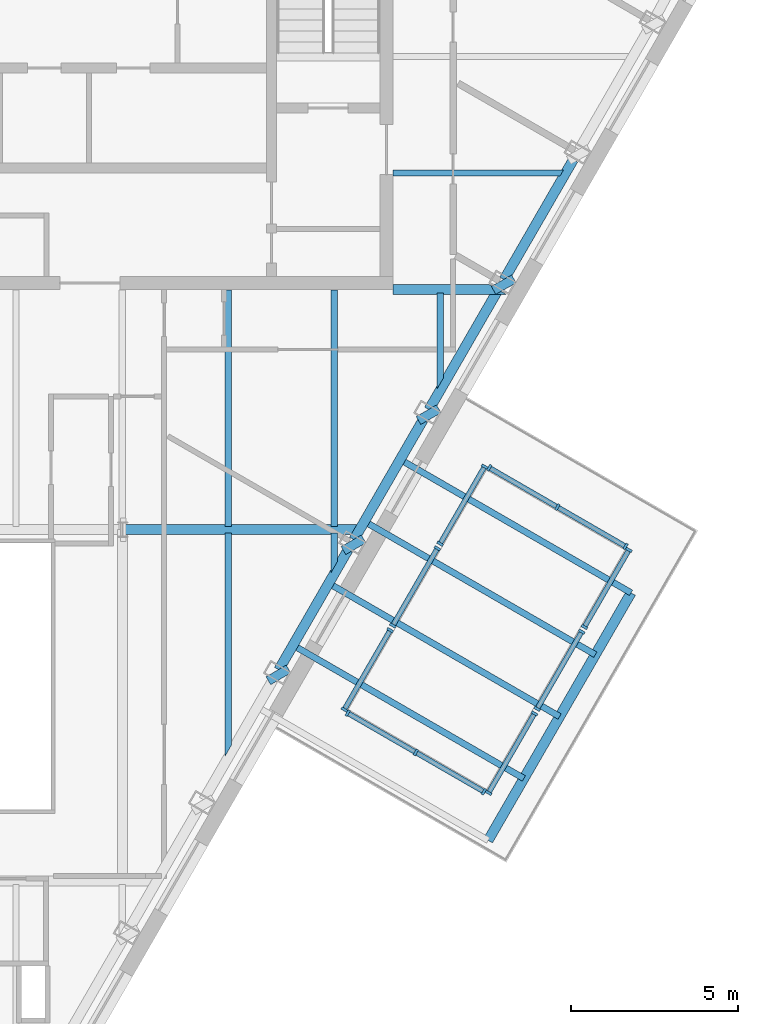
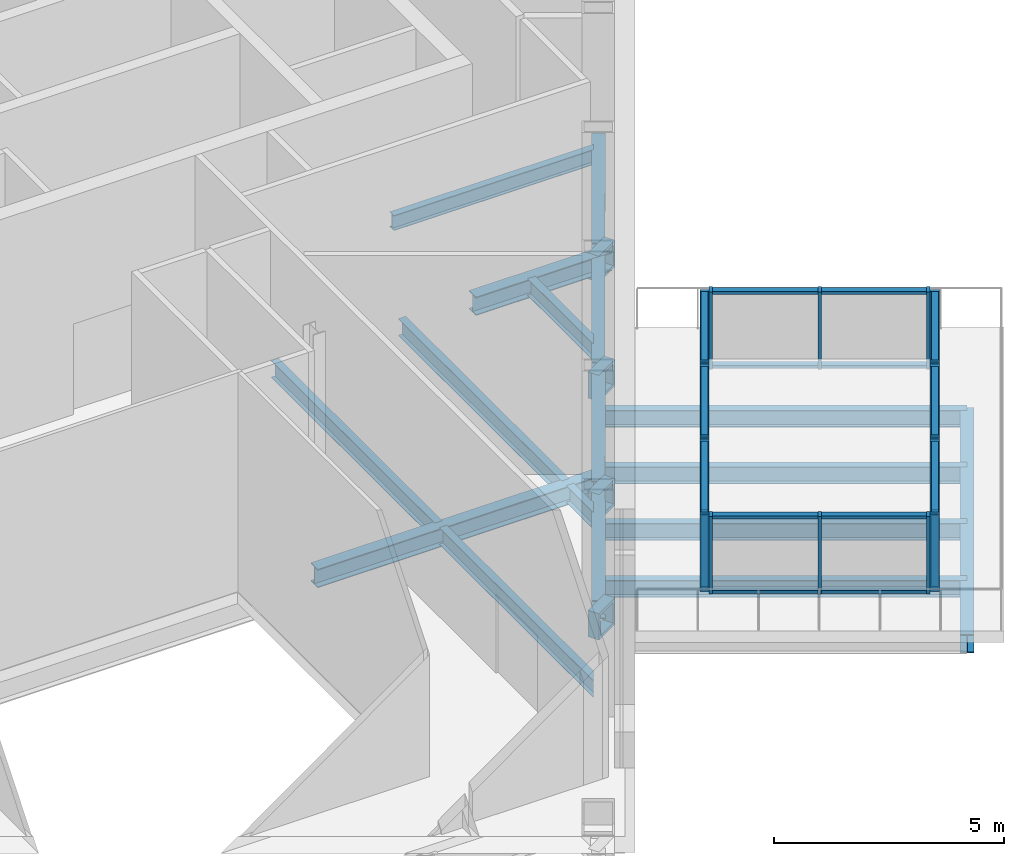
# One storey, part 3 of 11: 38 members, 21 beams, 8 elements without a shape of their own.
"""IFC4 building model written with IfcOpenShell, lengths in metres."""

from ifc_helpers import new_model, si_unit, direction, frame, origin, origin_2d, place, context, subcontext, project, spatial, rectangle, hollow_rectangle, i_section, extrude, clip, halfspace, material, layer, layer_set, material_profile, profile_set, type_object, element, aggregate, save


model = new_model("IFC4")

# Units and contexts
model_context = context("Model", 3, precision=1e-05, world=origin(), true_north=direction((0.0, 1.0)))
body_context = subcontext(model_context, "Body", "Model", "MODEL_VIEW")
ifc_project = project(units=[si_unit("LENGTHUNIT", "METRE"), si_unit("AREAUNIT", "SQUARE_METRE"), si_unit("VOLUMEUNIT", "CUBIC_METRE"), si_unit("PLANEANGLEUNIT", "RADIAN"), si_unit("MASSUNIT", "GRAM", prefix="KILO")], contexts=[model_context])

# Site, building, storey
site_placement = place(None, origin())
site = spatial("IfcSite", under=ifc_project, at=site_placement, CompositionType="ELEMENT")
building_placement = place(site_placement, origin())
building = spatial("IfcBuilding", under=site, at=building_placement, Name="Njiva Tower", CompositionType="ELEMENT")
storey_placement = place(building_placement, frame((0.0, 0.0, 298.2)))
storey = spatial("IfcBuildingStorey", under=building, at=storey_placement, Name="L68", CompositionType="ELEMENT", Elevation=298.2)

# Beams
ifc_material_1 = material(Name="Steel S355 J2", Category="steel")
ifc_material_profile_1 = material_profile(ifc_material_1, hollow_rectangle(XDim=0.7, YDim=0.7, WallThickness=0.08, at=origin_2d()), Name="BOX 700x700x80")
ifc_profile_set_1 = profile_set([ifc_material_profile_1], Name="Steel S355 J2")
beam_type_1 = type_object("IfcBeamType", Name="B19 Column jog beam BOX 700x700x80", PredefinedType="BEAM", material=ifc_profile_set_1)
beam_1_placement = place(storey_placement, frame((11.126, -7.677, -0.65), z_axis=(-0.503190728668, 0.864175381843, 0.0), x_axis=(-0.864175381843, -0.503190728668, 0.0)))
element("IfcBeam", 1, at=beam_1_placement, inside=storey, type_object=beam_type_1, Name="Column jog beam S22-B030", PredefinedType="BEAM", context=body_context, shape_type="SweptSolid", body=[
    extrude(hollow_rectangle(XDim=0.7, YDim=0.7, WallThickness=0.08, at=origin_2d()), origin(), (0.0, 0.0, 1.0), 0.2742),
])
beam_2_placement = place(storey_placement, frame((13.38, -3.774, -0.65), z_axis=(-0.501609290535, 0.865094283676, 0.0), x_axis=(-0.865094283676, -0.501609290535, 0.0)))
element("IfcBeam", 2, at=beam_2_placement, inside=storey, type_object=beam_type_1, Name="Column jog beam S22-B031", PredefinedType="BEAM", context=body_context, shape_type="SweptSolid", body=[
    extrude(hollow_rectangle(XDim=0.7, YDim=0.7, WallThickness=0.08, at=origin_2d()), origin(), (0.0, 0.0, 1.0), 0.2751),
])
beam_3_placement = place(storey_placement, frame((15.633, 0.129, -0.65), z_axis=(-0.49731125795, 0.867572194527, 0.0), x_axis=(-0.867572194527, -0.49731125795, 0.0)))
element("IfcBeam", 3, at=beam_3_placement, inside=storey, type_object=beam_type_1, Name="Column jog beam S22-B032", PredefinedType="BEAM", context=body_context, shape_type="SweptSolid", body=[
    extrude(hollow_rectangle(XDim=0.7, YDim=0.7, WallThickness=0.08, at=origin_2d()), origin(), (0.0, 0.0, 1.0), 0.2755),
])
beam_4_placement = place(storey_placement, frame((17.885, 4.031, -0.65), z_axis=(-0.487495172516, 0.873125682118, 0.0), x_axis=(-0.873125682118, -0.487495172516, 0.0)))
element("IfcBeam", 4, at=beam_4_placement, inside=storey, type_object=beam_type_1, Name="Column jog beam S22-B033", PredefinedType="BEAM", context=body_context, shape_type="SweptSolid", body=[
    extrude(hollow_rectangle(XDim=0.7, YDim=0.7, WallThickness=0.08, at=origin_2d()), origin(), (0.0, 0.0, 1.0), 0.2749),
])
ifc_material_profile_2 = material_profile(ifc_material_1, i_section(OverallWidth=0.3, OverallDepth=0.49, WebThickness=0.012, FlangeThickness=0.023, at=origin_2d()), Name="HEA 500")
ifc_profile_set_2 = profile_set([ifc_material_profile_2], Name="Steel S355 J2")
beam_type_2 = type_object("IfcBeamType", Name="B48 Short-span spandrel beam HEA 500", PredefinedType="SPANDREL", material=ifc_profile_set_2)
beam_5_placement = place(storey_placement, frame((11.068, -7.407, -0.545), z_axis=(0.499812681335, 0.866133525259, 0.0), x_axis=(-0.866133525259, 0.499812681335, 0.0)))
element("IfcBeam", 5, at=beam_5_placement, inside=storey, type_object=beam_type_2, Name="Short-span spandrel beam S22-B085", PredefinedType="SPANDREL", context=body_context, shape_type="SweptSolid", body=[
    extrude(i_section(OverallWidth=0.3, OverallDepth=0.49, WebThickness=0.012, FlangeThickness=0.023, at=origin_2d()), origin(), (0.0, 0.0, 1.0), 4.1576),
])
for number, where, z_axis, x_axis, name in (
    (6, (13.321, -3.503, -0.545), (0.500021003115, 0.866013277291, 0.0), (-0.866013277291, 0.500021003115, 0.0), "Short-span spandrel beam S22-B086"),
    (7, (15.574, 0.4, -0.545), (0.500021003115, 0.866013277291, 0.0), (-0.866013277291, 0.500021003115, 0.0), "Short-span spandrel beam S22-B088"),
):
    element("IfcBeam", number, at=place(storey_placement, frame(where, z_axis=z_axis, x_axis=x_axis)), inside=storey, type_object=beam_type_2, Name=name, PredefinedType="SPANDREL", context=body_context, shape_type="SweptSolid", body=[
        extrude(i_section(OverallWidth=0.3, OverallDepth=0.49, WebThickness=0.012, FlangeThickness=0.023, at=origin_2d()), origin(), (0.0, 0.0, 1.0), 4.1558),
    ])
beam_6_placement = place(storey_placement, frame((17.827, 4.302, -0.545), z_axis=(0.500097243556, 0.865969252911, 0.0), x_axis=(-0.865969252911, 0.500097243556, 0.0)))
element("IfcBeam", 8, at=beam_6_placement, inside=storey, type_object=beam_type_2, Name="Short-span spandrel beam S22-B089", PredefinedType="SPANDREL", context=body_context, shape_type="SweptSolid", body=[
    extrude(i_section(OverallWidth=0.3, OverallDepth=0.49, WebThickness=0.012, FlangeThickness=0.023, at=origin_2d()), origin(), (0.0, 0.0, 1.0), 4.1572),
])
ifc_material_profile_3 = material_profile(ifc_material_1, i_section(OverallWidth=0.3, OverallDepth=0.49, WebThickness=0.012, FlangeThickness=0.023, at=origin_2d()), Name="HEA 500")
ifc_profile_set_3 = profile_set([ifc_material_profile_3], Name="Steel S355 J2")
beam_type_3 = type_object("IfcBeamType", Name="B49 Floor girder HEA 500", PredefinedType="BEAM", material=ifc_profile_set_3)
beam_7_placement = place(storey_placement, frame((6.38, -3.2, -0.545), z_axis=(1.0, 0.0, 0.0), x_axis=(0.0, 1.0, 0.0)))
element("IfcBeam", 9, at=beam_7_placement, inside=storey, type_object=beam_type_3, Name="Floor girder S22-B011", PredefinedType="BEAM", context=body_context, shape_type="Clipping", body=[
    clip(extrude(i_section(OverallWidth=0.3, OverallDepth=0.49, WebThickness=0.012, FlangeThickness=0.023, at=origin_2d()), origin(), (0.0, 0.0, 1.0), 7.108), halfspace(frame((-0.025, 0.0, 6.9863), z_axis=(-0.499998009787, 0.0, 0.866026552831), x_axis=(0.0, 1.0, 0.0)), False)),
])
ifc_material_profile_4 = material_profile(ifc_material_1, i_section(OverallWidth=0.3, OverallDepth=0.49, WebThickness=0.012, FlangeThickness=0.023, at=origin_2d()), Name="HEA 500")
ifc_profile_set_4 = profile_set([ifc_material_profile_4], Name="Steel S355 J2")
beam_type_4 = type_object("IfcBeamType", Name="B50 Short-span floor girder HEA 500", PredefinedType="BEAM", material=ifc_profile_set_4)
beam_8_placement = place(storey_placement, frame((14.5, 4.0, -0.545), z_axis=(1.0, 0.0, 0.0), x_axis=(0.0, 1.0, 0.0)))
element("IfcBeam", 10, at=beam_8_placement, inside=storey, type_object=beam_type_4, Name="Short-span floor girder S22-B012", PredefinedType="BEAM", context=body_context, shape_type="Clipping", body=[
    clip(extrude(i_section(OverallWidth=0.3, OverallDepth=0.49, WebThickness=0.012, FlangeThickness=0.023, at=origin_2d()), origin(), (0.0, 0.0, 1.0), 3.43), halfspace(frame((0.0433, 0.0, 3.0748), z_axis=(0.866026552831, 0.0, 0.499998009787), x_axis=(0.0, 1.0, 0.0)), False)),
])
ifc_material_profile_5 = material_profile(ifc_material_1, i_section(OverallWidth=0.18, OverallDepth=0.4, WebThickness=0.0086, FlangeThickness=0.0135, at=origin_2d()), Name="IPE 400")
ifc_profile_set_5 = profile_set([ifc_material_profile_5], Name="Steel S355 J2")
beam_type_5 = type_object("IfcBeamType", Name="B51 Floor beam to the core IPE 400", PredefinedType="BEAM", material=ifc_profile_set_5)
beam_9_placement = place(storey_placement, frame((14.5, 7.5, -0.5), z_axis=(1.0, 0.0, 0.0), x_axis=(0.0, 1.0, 0.0)))
element("IfcBeam", 11, at=beam_9_placement, inside=storey, type_object=beam_type_5, Name="Floor beam to the core S22-B005", PredefinedType="BEAM", context=body_context, shape_type="Clipping", body=[
    clip(extrude(i_section(OverallWidth=0.18, OverallDepth=0.4, WebThickness=0.0086, FlangeThickness=0.0135, at=origin_2d()), origin(), (0.0, 0.0, 1.0), 5.13), halfspace(frame((-0.025, 0.0, 5.044), z_axis=(-0.499998009787, 0.0, 0.866026552831), x_axis=(0.0, 1.0, 0.0)), False)),
])
ifc_material_profile_6 = material_profile(ifc_material_1, i_section(OverallWidth=0.19, OverallDepth=0.45, WebThickness=0.0094, FlangeThickness=0.0146, at=origin_2d()), Name="IPE 450")
ifc_profile_set_6 = profile_set([ifc_material_profile_6], Name="Steel S355 J2")
beam_type_6 = type_object("IfcBeamType", Name="B52 Short-span floor joist IPE 450", PredefinedType="JOIST", material=ifc_profile_set_6)
beam_10_placement = place(storey_placement, frame((12.733, -3.3, -0.525), z_axis=(0.0, -1.0, 0.0), x_axis=(1.0, 0.0, 0.0)))
element("IfcBeam", 12, at=beam_10_placement, inside=storey, type_object=beam_type_6, Name="Short-span floor joist S22-B054", PredefinedType="JOIST", context=body_context, shape_type="Clipping", body=[
    clip(extrude(i_section(OverallWidth=0.19, OverallDepth=0.45, WebThickness=0.0094, FlangeThickness=0.0146, at=origin_2d()), origin(), (0.0, 0.0, 1.0), 1.206), halfspace(frame((0.0436, 0.0, 0.9464), z_axis=(0.866026552831, 0.0, 0.499998009787), x_axis=(0.0, 1.0, 0.0)), False)),
])
beam_11_placement = place(storey_placement, frame((15.917, 3.9, -0.525), z_axis=(0.0, -1.0, 0.0), x_axis=(1.0, 0.0, 0.0)))
element("IfcBeam", 13, at=beam_11_placement, inside=storey, type_object=beam_type_6, Name="Short-span floor joist S22-B056", PredefinedType="JOIST", context=body_context, shape_type="Clipping", body=[
    clip(extrude(i_section(OverallWidth=0.19, OverallDepth=0.45, WebThickness=0.0094, FlangeThickness=0.0146, at=origin_2d()), origin(), (0.0, 0.0, 1.0), 2.893), halfspace(frame((0.043, 0.0, 2.6327), z_axis=(0.866026552831, 0.0, 0.499998009787), x_axis=(0.0, 1.0, 0.0)), False)),
])
ifc_material_profile_7 = material_profile(ifc_material_1, i_section(OverallWidth=0.19, OverallDepth=0.45, WebThickness=0.0094, FlangeThickness=0.0146, at=origin_2d()), Name="IPE 450")
ifc_profile_set_7 = profile_set([ifc_material_profile_7], Name="Steel S355 J2")
beam_type_7 = type_object("IfcBeamType", Name="B53 Floor joist IPE 450", PredefinedType="JOIST", material=ifc_profile_set_7)
beam_12_placement = place(storey_placement, frame((9.55, 3.995, -0.525), z_axis=(0.0, -1.0, 0.0), x_axis=(1.0, 0.0, 0.0)))
element("IfcBeam", 14, at=beam_12_placement, inside=storey, type_object=beam_type_7, Name="Floor joist S22-B053", PredefinedType="JOIST", context=body_context, shape_type="SweptSolid", body=[
    extrude(i_section(OverallWidth=0.19, OverallDepth=0.45, WebThickness=0.0094, FlangeThickness=0.0146, at=origin_2d()), origin(), (0.0, 0.0, 1.0), 7.095),
])
beam_13_placement = place(storey_placement, frame((9.55, -3.3, -0.525), z_axis=(0.0, -1.0, 0.0), x_axis=(1.0, 0.0, 0.0)))
element("IfcBeam", 15, at=beam_13_placement, inside=storey, type_object=beam_type_7, Name="Floor joist S22-B052", PredefinedType="JOIST", context=body_context, shape_type="Clipping", body=[
    clip(extrude(i_section(OverallWidth=0.19, OverallDepth=0.45, WebThickness=0.0094, FlangeThickness=0.0146, at=origin_2d()), origin(), (0.0, 0.0, 1.0), 6.72), halfspace(frame((0.0433, 0.0, 6.4601), z_axis=(0.866026552831, 0.0, 0.499998009787), x_axis=(0.0, 1.0, 0.0)), False)),
])
beam_14_placement = place(storey_placement, frame((12.733, 3.995, -0.525), z_axis=(0.0, -1.0, 0.0), x_axis=(1.0, 0.0, 0.0)))
element("IfcBeam", 16, at=beam_14_placement, inside=storey, type_object=beam_type_7, Name="Floor joist S22-B055", PredefinedType="JOIST", context=body_context, shape_type="SweptSolid", body=[
    extrude(i_section(OverallWidth=0.19, OverallDepth=0.45, WebThickness=0.0094, FlangeThickness=0.0146, at=origin_2d()), origin(), (0.0, 0.0, 1.0), 7.095),
])
ifc_material_profile_8 = material_profile(ifc_material_1, i_section(OverallWidth=0.3, OverallDepth=0.49, WebThickness=0.012, FlangeThickness=0.023, at=origin_2d()), Name="HEA 500")
ifc_profile_set_8 = profile_set([ifc_material_profile_8], Name="Steel S355 J2")
beam_type_8 = type_object("IfcBeamType", Name="B54 Pool deck edge beam HEA 500", PredefinedType="BEAM", material=ifc_profile_set_8)
beam_15_placement = place(storey_placement, frame((17.3504, -12.5244, -0.545), z_axis=(0.499996298512, 0.866027540829, 0.0), x_axis=(-0.866027540829, 0.499996298512, 0.0)))
element("IfcBeam", 17, at=beam_15_placement, inside=storey, type_object=beam_type_8, Name="Pool deck edge beam S22-BP01", PredefinedType="BEAM", context=body_context, shape_type="SweptSolid", body=[
    extrude(i_section(OverallWidth=0.3, OverallDepth=0.49, WebThickness=0.012, FlangeThickness=0.023, at=origin_2d()), origin(), (0.0, 0.0, 1.0), 8.5769),
])
ifc_material_profile_9 = material_profile(ifc_material_1, i_section(OverallWidth=0.19, OverallDepth=0.45, WebThickness=0.0094, FlangeThickness=0.0146, at=origin_2d()), Name="IPE 450")
ifc_profile_set_9 = profile_set([ifc_material_profile_9], Name="Steel S355 J2")
beam_type_9 = type_object("IfcBeamType", Name="B55 Pool deck joist IPE 450", PredefinedType="JOIST", material=ifc_profile_set_9)
for number, where, z_axis, x_axis, name in (
    (18, (11.4943, -6.6675, -0.525), (0.866025302838, -0.500000174844, 0.0), (0.500000174844, 0.866025302838, 0.0), "Pool deck joist S22-BP03"),
    (19, (12.5664, -4.8105, -0.525), (0.866025302838, -0.500000174844, 0.0), (0.500000174844, 0.866025302838, 0.0), "Pool deck joist S22-BP04"),
    (20, (13.6385, -2.9536, -0.525), (0.866025302838, -0.500000174844, 0.0), (0.500000174844, 0.866025302838, 0.0), "Pool deck joist S22-BP05"),
    (21, (14.7106, -1.0966, -0.525), (0.866025302838, -0.500000174844, 0.0), (0.500000174844, 0.866025302838, 0.0), "Pool deck joist S22-BP06"),
):
    element("IfcBeam", number, at=place(storey_placement, frame(where, z_axis=z_axis, x_axis=x_axis)), inside=storey, type_object=beam_type_9, Name=name, PredefinedType="JOIST", context=body_context, shape_type="SweptSolid", body=[
        extrude(i_section(OverallWidth=0.19, OverallDepth=0.45, WebThickness=0.0094, FlangeThickness=0.0146, at=origin_2d()), origin(), (0.0, 0.0, 1.0), 8.0),
    ])

# Curtain wall, members
ifc_material_2 = material(Name="Glazed curtain wall", Category="glass")
ifc_layer = layer(ifc_material_2, 0.2)
ifc_layer_set = layer_set([ifc_layer], Name="Glazed curtain wall")
curtain_wall_type = type_object("IfcCurtainWallType", Name="CW4 Pool glazing wall", PredefinedType="NOTDEFINED", material=ifc_layer_set)
curtain_wall_1_placement = place(storey_placement, origin())
curtain_wall_1 = element("IfcCurtainWall", 22, at=curtain_wall_1_placement, inside=storey, type_object=curtain_wall_type, Name="Pool glazing front 1", PredefinedType="NOTDEFINED")
ifc_material_3 = material(Name="Stainless steel", Category="steel")
ifc_material_profile_10 = material_profile(ifc_material_3, rectangle(XDim=0.2, YDim=0.08, at=origin_2d()), Name="RECT 200x80")
ifc_profile_set_10 = profile_set([ifc_material_profile_10], Name="Stainless steel")
member_type_1 = type_object("IfcMemberType", Name="CW4-M Pool glazing post 200x80", PredefinedType="MULLION", material=ifc_profile_set_10)
member_1_placement = place(storey_placement, frame((13.034, -8.6006, 0.0), z_axis=(0.0, 0.0, 1.0), x_axis=(-0.86602540388, 0.499999999834, 0.0)))
member_1 = element("IfcMember", 23, at=member_1_placement, type_object=member_type_1, Name="CW4-1 mullion 1", PredefinedType="MULLION", context=body_context, shape_type="SweptSolid", body=[
    extrude(rectangle(XDim=0.2, YDim=0.08, at=origin_2d()), origin(), (0.0, 0.0, 1.0), 2.05),
])
member_2_placement = place(storey_placement, frame((14.4107, -6.2161, 0.0), z_axis=(0.0, 0.0, 1.0), x_axis=(-0.86602540388, 0.499999999834, 0.0)))
member_2 = element("IfcMember", 24, at=member_2_placement, type_object=member_type_1, Name="CW4-1 mullion 2", PredefinedType="MULLION", context=body_context, shape_type="SweptSolid", body=[
    extrude(rectangle(XDim=0.2, YDim=0.08, at=origin_2d()), origin(), (0.0, 0.0, 1.0), 2.05),
])

curtain_wall_2_placement = place(storey_placement, origin())
curtain_wall_2 = element("IfcCurtainWall", 25, at=curtain_wall_2_placement, inside=storey, type_object=curtain_wall_type, Name="Pool glazing front 2", PredefinedType="NOTDEFINED")
member_3_placement = place(storey_placement, frame((14.4907, -6.0775, 0.0), z_axis=(0.0, 0.0, 1.0), x_axis=(-0.866025403662, 0.500000000212, 0.0)))
member_3 = element("IfcMember", 26, at=member_3_placement, type_object=member_type_1, Name="CW4-2 mullion 1", PredefinedType="MULLION", context=body_context, shape_type="SweptSolid", body=[
    extrude(rectangle(XDim=0.2, YDim=0.08, at=origin_2d()), origin(), (0.0, 0.0, 1.0), 2.05),
])
member_4_placement = place(storey_placement, frame((15.8274, -3.7624, 0.0), z_axis=(0.0, 0.0, 1.0), x_axis=(-0.866025403662, 0.500000000212, 0.0)))
member_4 = element("IfcMember", 27, at=member_4_placement, type_object=member_type_1, Name="CW4-2 mullion 2", PredefinedType="MULLION", context=body_context, shape_type="SweptSolid", body=[
    extrude(rectangle(XDim=0.2, YDim=0.08, at=origin_2d()), origin(), (0.0, 0.0, 1.0), 2.05),
])

curtain_wall_3_placement = place(storey_placement, origin())
curtain_wall_3 = element("IfcCurtainWall", 28, at=curtain_wall_3_placement, inside=storey, type_object=curtain_wall_type, Name="Pool glazing front 3", PredefinedType="NOTDEFINED")
member_5_placement = place(storey_placement, frame((15.9074, -3.6238, 0.0), z_axis=(0.0, 0.0, 1.0), x_axis=(-0.866025403662, 0.500000000212, 0.0)))
member_5 = element("IfcMember", 29, at=member_5_placement, type_object=member_type_1, Name="CW4-3 mullion 1", PredefinedType="MULLION", context=body_context, shape_type="SweptSolid", body=[
    extrude(rectangle(XDim=0.2, YDim=0.08, at=origin_2d()), origin(), (0.0, 0.0, 1.0), 2.05),
])
member_6_placement = place(storey_placement, frame((17.244, -1.3086, 0.0), z_axis=(0.0, 0.0, 1.0), x_axis=(-0.866025403662, 0.500000000212, 0.0)))
member_6 = element("IfcMember", 30, at=member_6_placement, type_object=member_type_1, Name="CW4-3 mullion 2", PredefinedType="MULLION", context=body_context, shape_type="SweptSolid", body=[
    extrude(rectangle(XDim=0.2, YDim=0.08, at=origin_2d()), origin(), (0.0, 0.0, 1.0), 2.05),
])

curtain_wall_4_placement = place(storey_placement, origin())
curtain_wall_4 = element("IfcCurtainWall", 31, at=curtain_wall_4_placement, inside=storey, type_object=curtain_wall_type, Name="Pool glazing outer 1", PredefinedType="NOTDEFINED")
member_7_placement = place(storey_placement, frame((17.3642, -11.1006, 0.0), z_axis=(0.0, 0.0, 1.0), x_axis=(-0.86602540388, 0.499999999834, 0.0)))
member_7 = element("IfcMember", 32, at=member_7_placement, type_object=member_type_1, Name="CW4-4 mullion 1", PredefinedType="MULLION", context=body_context, shape_type="SweptSolid", body=[
    extrude(rectangle(XDim=0.2, YDim=0.08, at=origin_2d()), origin(), (0.0, 0.0, 1.0), 2.05),
])
member_8_placement = place(storey_placement, frame((18.7408, -8.7161, 0.0), z_axis=(0.0, 0.0, 1.0), x_axis=(-0.86602540388, 0.499999999834, 0.0)))
member_8 = element("IfcMember", 33, at=member_8_placement, type_object=member_type_1, Name="CW4-4 mullion 2", PredefinedType="MULLION", context=body_context, shape_type="SweptSolid", body=[
    extrude(rectangle(XDim=0.2, YDim=0.08, at=origin_2d()), origin(), (0.0, 0.0, 1.0), 2.05),
])

curtain_wall_5_placement = place(storey_placement, origin())
curtain_wall_5 = element("IfcCurtainWall", 34, at=curtain_wall_5_placement, inside=storey, type_object=curtain_wall_type, Name="Pool glazing outer 2", PredefinedType="NOTDEFINED")
member_9_placement = place(storey_placement, frame((18.8208, -8.5775, 0.0), z_axis=(0.0, 0.0, 1.0), x_axis=(-0.866025403662, 0.500000000212, 0.0)))
member_9 = element("IfcMember", 35, at=member_9_placement, type_object=member_type_1, Name="CW4-5 mullion 1", PredefinedType="MULLION", context=body_context, shape_type="SweptSolid", body=[
    extrude(rectangle(XDim=0.2, YDim=0.08, at=origin_2d()), origin(), (0.0, 0.0, 1.0), 2.05),
])
member_10_placement = place(storey_placement, frame((20.1575, -6.2624, 0.0), z_axis=(0.0, 0.0, 1.0), x_axis=(-0.866025403662, 0.500000000212, 0.0)))
member_10 = element("IfcMember", 36, at=member_10_placement, type_object=member_type_1, Name="CW4-5 mullion 2", PredefinedType="MULLION", context=body_context, shape_type="SweptSolid", body=[
    extrude(rectangle(XDim=0.2, YDim=0.08, at=origin_2d()), origin(), (0.0, 0.0, 1.0), 2.05),
])

curtain_wall_6_placement = place(storey_placement, origin())
curtain_wall_6 = element("IfcCurtainWall", 37, at=curtain_wall_6_placement, inside=storey, type_object=curtain_wall_type, Name="Pool glazing outer 3", PredefinedType="NOTDEFINED")
member_11_placement = place(storey_placement, frame((20.2375, -6.1238, 0.0), z_axis=(0.0, 0.0, 1.0), x_axis=(-0.866025403662, 0.500000000212, 0.0)))
member_11 = element("IfcMember", 38, at=member_11_placement, type_object=member_type_1, Name="CW4-6 mullion 1", PredefinedType="MULLION", context=body_context, shape_type="SweptSolid", body=[
    extrude(rectangle(XDim=0.2, YDim=0.08, at=origin_2d()), origin(), (0.0, 0.0, 1.0), 2.05),
])
member_12_placement = place(storey_placement, frame((21.5742, -3.8086, 0.0), z_axis=(0.0, 0.0, 1.0), x_axis=(-0.866025403662, 0.500000000212, 0.0)))
member_12 = element("IfcMember", 39, at=member_12_placement, type_object=member_type_1, Name="CW4-6 mullion 2", PredefinedType="MULLION", context=body_context, shape_type="SweptSolid", body=[
    extrude(rectangle(XDim=0.2, YDim=0.08, at=origin_2d()), origin(), (0.0, 0.0, 1.0), 2.05),
])

curtain_wall_7_placement = place(storey_placement, origin())
curtain_wall_7 = element("IfcCurtainWall", 40, at=curtain_wall_7_placement, inside=storey, type_object=curtain_wall_type, Name="Pool glazing west end", PredefinedType="NOTDEFINED")
member_13_placement = place(storey_placement, frame((13.1353, -8.7052, 0.0), z_axis=(0.0, 0.0, 1.0), x_axis=(0.500000000015, 0.866025403776, 0.0)))
member_13 = element("IfcMember", 41, at=member_13_placement, type_object=member_type_1, Name="CW4-7 mullion 1", PredefinedType="MULLION", context=body_context, shape_type="SweptSolid", body=[
    extrude(rectangle(XDim=0.2, YDim=0.08, at=origin_2d()), origin(), (0.0, 0.0, 1.0), 2.05),
])
member_14_placement = place(storey_placement, frame((15.1791, -9.8852, 0.0), z_axis=(0.0, 0.0, 1.0), x_axis=(0.500000000015, 0.866025403776, 0.0)))
member_14 = element("IfcMember", 42, at=member_14_placement, type_object=member_type_1, Name="CW4-7 mullion 2", PredefinedType="MULLION", context=body_context, shape_type="SweptSolid", body=[
    extrude(rectangle(XDim=0.2, YDim=0.08, at=origin_2d()), origin(), (0.0, 0.0, 1.0), 2.05),
])
member_15_placement = place(storey_placement, frame((17.2229, -11.0652, 0.0), z_axis=(0.0, 0.0, 1.0), x_axis=(0.500000000015, 0.866025403776, 0.0)))
member_15 = element("IfcMember", 43, at=member_15_placement, type_object=member_type_1, Name="CW4-7 mullion 3", PredefinedType="MULLION", context=body_context, shape_type="SweptSolid", body=[
    extrude(rectangle(XDim=0.2, YDim=0.08, at=origin_2d()), origin(), (0.0, 0.0, 1.0), 2.05),
])

curtain_wall_8_placement = place(storey_placement, origin())
curtain_wall_8 = element("IfcCurtainWall", 44, at=curtain_wall_8_placement, inside=storey, type_object=curtain_wall_type, Name="Pool glazing east end", PredefinedType="NOTDEFINED")
member_16_placement = place(storey_placement, frame((17.3853, -1.344, 0.0), z_axis=(0.0, 0.0, 1.0), x_axis=(0.500000000015, 0.866025403776, 0.0)))
member_16 = element("IfcMember", 45, at=member_16_placement, type_object=member_type_1, Name="CW4-8 mullion 1", PredefinedType="MULLION", context=body_context, shape_type="SweptSolid", body=[
    extrude(rectangle(XDim=0.2, YDim=0.08, at=origin_2d()), origin(), (0.0, 0.0, 1.0), 2.05),
])
member_17_placement = place(storey_placement, frame((19.4291, -2.524, 0.0), z_axis=(0.0, 0.0, 1.0), x_axis=(0.500000000015, 0.866025403776, 0.0)))
member_17 = element("IfcMember", 46, at=member_17_placement, type_object=member_type_1, Name="CW4-8 mullion 2", PredefinedType="MULLION", context=body_context, shape_type="SweptSolid", body=[
    extrude(rectangle(XDim=0.2, YDim=0.08, at=origin_2d()), origin(), (0.0, 0.0, 1.0), 2.05),
])
member_18_placement = place(storey_placement, frame((21.4729, -3.704, 0.0), z_axis=(0.0, 0.0, 1.0), x_axis=(0.500000000015, 0.866025403776, 0.0)))
member_18 = element("IfcMember", 47, at=member_18_placement, type_object=member_type_1, Name="CW4-8 mullion 3", PredefinedType="MULLION", context=body_context, shape_type="SweptSolid", body=[
    extrude(rectangle(XDim=0.2, YDim=0.08, at=origin_2d()), origin(), (0.0, 0.0, 1.0), 2.05),
])

# Member
ifc_material_profile_11 = material_profile(ifc_material_3, rectangle(XDim=0.15, YDim=0.08, at=origin_2d()), Name="RECT 150x80")
ifc_profile_set_11 = profile_set([ifc_material_profile_11], Name="Stainless steel")
member_type_2 = type_object("IfcMemberType", Name="CW4-T Pool glazing rail 150x80", PredefinedType="USERDEFINED", material=ifc_profile_set_11)
member_19_placement = place(storey_placement, frame((13.054, -8.5659, 0.04), z_axis=(0.500005234047, 0.866022381885, 0.0), x_axis=(-0.866022381885, 0.500005234047, 0.0)))
member_19 = element("IfcMember", 48, at=member_19_placement, type_object=member_type_2, Name="CW4-1 transom 1.1", ObjectType="TRANSOM", PredefinedType="USERDEFINED", context=body_context, shape_type="SweptSolid", body=[
    extrude(rectangle(XDim=0.15, YDim=0.08, at=origin_2d()), origin(), (0.0, 0.0, 1.0), 2.6734),
])

member_20_placement = place(storey_placement, frame((13.054, -8.5659, 2.01), z_axis=(0.500005234047, 0.866022381885, 0.0), x_axis=(-0.866022381885, 0.500005234047, 0.0)))
member_20 = element("IfcMember", 49, at=member_20_placement, type_object=member_type_2, Name="CW4-1 transom 1.2", ObjectType="TRANSOM", PredefinedType="USERDEFINED", context=body_context, shape_type="SweptSolid", body=[
    extrude(rectangle(XDim=0.15, YDim=0.08, at=origin_2d()), origin(), (0.0, 0.0, 1.0), 2.6734),
])

aggregate(curtain_wall_1, [member_1, member_2, member_19, member_20])

member_21_placement = place(storey_placement, frame((14.5107, -6.0429, 0.04), z_axis=(0.500008395591, 0.866020556534, 0.0), x_axis=(-0.866020556534, 0.500008395591, 0.0)))
member_21 = element("IfcMember", 50, at=member_21_placement, type_object=member_type_2, Name="CW4-2 transom 1.1", ObjectType="TRANSOM", PredefinedType="USERDEFINED", context=body_context, shape_type="SweptSolid", body=[
    extrude(rectangle(XDim=0.15, YDim=0.08, at=origin_2d()), origin(), (0.0, 0.0, 1.0), 2.5934),
])

member_22_placement = place(storey_placement, frame((14.5107, -6.0429, 2.01), z_axis=(0.500008395591, 0.866020556534, 0.0), x_axis=(-0.866020556534, 0.500008395591, 0.0)))
member_22 = element("IfcMember", 51, at=member_22_placement, type_object=member_type_2, Name="CW4-2 transom 1.2", ObjectType="TRANSOM", PredefinedType="USERDEFINED", context=body_context, shape_type="SweptSolid", body=[
    extrude(rectangle(XDim=0.15, YDim=0.08, at=origin_2d()), origin(), (0.0, 0.0, 1.0), 2.5934),
])

aggregate(curtain_wall_2, [member_3, member_4, member_21, member_22])

member_23_placement = place(storey_placement, frame((15.9274, -3.5892, 0.04), z_axis=(0.499979475027, 0.866037253559, 0.0), x_axis=(-0.866037253559, 0.499979475027, 0.0)))
member_23 = element("IfcMember", 52, at=member_23_placement, type_object=member_type_2, Name="CW4-3 transom 1.1", ObjectType="TRANSOM", PredefinedType="USERDEFINED", context=body_context, shape_type="SweptSolid", body=[
    extrude(rectangle(XDim=0.15, YDim=0.08, at=origin_2d()), origin(), (0.0, 0.0, 1.0), 2.5933),
])

member_24_placement = place(storey_placement, frame((15.9274, -3.5892, 2.01), z_axis=(0.499979475027, 0.866037253559, 0.0), x_axis=(-0.866037253559, 0.499979475027, 0.0)))
member_24 = element("IfcMember", 53, at=member_24_placement, type_object=member_type_2, Name="CW4-3 transom 1.2", ObjectType="TRANSOM", PredefinedType="USERDEFINED", context=body_context, shape_type="SweptSolid", body=[
    extrude(rectangle(XDim=0.15, YDim=0.08, at=origin_2d()), origin(), (0.0, 0.0, 1.0), 2.5933),
])

aggregate(curtain_wall_3, [member_5, member_6, member_23, member_24])

member_25_placement = place(storey_placement, frame((17.3842, -11.0659, 0.04), z_axis=(0.499977178999, 0.866038579095, 0.0), x_axis=(-0.866038579095, 0.499977178999, 0.0)))
member_25 = element("IfcMember", 54, at=member_25_placement, type_object=member_type_2, Name="CW4-4 transom 1.1", ObjectType="TRANSOM", PredefinedType="USERDEFINED", context=body_context, shape_type="SweptSolid", body=[
    extrude(rectangle(XDim=0.15, YDim=0.08, at=origin_2d()), origin(), (0.0, 0.0, 1.0), 2.6733),
])

member_26_placement = place(storey_placement, frame((17.3842, -11.0659, 2.01), z_axis=(0.499977178999, 0.866038579095, 0.0), x_axis=(-0.866038579095, 0.499977178999, 0.0)))
member_26 = element("IfcMember", 55, at=member_26_placement, type_object=member_type_2, Name="CW4-4 transom 1.2", ObjectType="TRANSOM", PredefinedType="USERDEFINED", context=body_context, shape_type="SweptSolid", body=[
    extrude(rectangle(XDim=0.15, YDim=0.08, at=origin_2d()), origin(), (0.0, 0.0, 1.0), 2.6733),
])

aggregate(curtain_wall_4, [member_7, member_8, member_25, member_26])

member_27_placement = place(storey_placement, frame((18.8408, -8.5429, 0.04), z_axis=(0.500008395591, 0.866020556534, 0.0), x_axis=(-0.866020556534, 0.500008395591, 0.0)))
member_27 = element("IfcMember", 56, at=member_27_placement, type_object=member_type_2, Name="CW4-5 transom 1.1", ObjectType="TRANSOM", PredefinedType="USERDEFINED", context=body_context, shape_type="SweptSolid", body=[
    extrude(rectangle(XDim=0.15, YDim=0.08, at=origin_2d()), origin(), (0.0, 0.0, 1.0), 2.5934),
])

member_28_placement = place(storey_placement, frame((18.8408, -8.5429, 2.01), z_axis=(0.500008395591, 0.866020556534, 0.0), x_axis=(-0.866020556534, 0.500008395591, 0.0)))
member_28 = element("IfcMember", 57, at=member_28_placement, type_object=member_type_2, Name="CW4-5 transom 1.2", ObjectType="TRANSOM", PredefinedType="USERDEFINED", context=body_context, shape_type="SweptSolid", body=[
    extrude(rectangle(XDim=0.15, YDim=0.08, at=origin_2d()), origin(), (0.0, 0.0, 1.0), 2.5934),
])

aggregate(curtain_wall_5, [member_9, member_10, member_27, member_28])

member_29_placement = place(storey_placement, frame((20.2575, -6.0892, 0.04), z_axis=(0.500008395591, 0.866020556534, 0.0), x_axis=(-0.866020556534, 0.500008395591, 0.0)))
member_29 = element("IfcMember", 58, at=member_29_placement, type_object=member_type_2, Name="CW4-6 transom 1.1", ObjectType="TRANSOM", PredefinedType="USERDEFINED", context=body_context, shape_type="SweptSolid", body=[
    extrude(rectangle(XDim=0.15, YDim=0.08, at=origin_2d()), origin(), (0.0, 0.0, 1.0), 2.5934),
])

member_30_placement = place(storey_placement, frame((20.2575, -6.0892, 2.01), z_axis=(0.500008395591, 0.866020556534, 0.0), x_axis=(-0.866020556534, 0.500008395591, 0.0)))
member_30 = element("IfcMember", 59, at=member_30_placement, type_object=member_type_2, Name="CW4-6 transom 1.2", ObjectType="TRANSOM", PredefinedType="USERDEFINED", context=body_context, shape_type="SweptSolid", body=[
    extrude(rectangle(XDim=0.15, YDim=0.08, at=origin_2d()), origin(), (0.0, 0.0, 1.0), 2.5934),
])

aggregate(curtain_wall_6, [member_11, member_12, member_29, member_30])

member_31_placement = place(storey_placement, frame((13.1699, -8.7252, 0.04), z_axis=(0.866032210492, -0.499988210251, 0.0), x_axis=(0.499988210251, 0.866032210492, 0.0)))
member_31 = element("IfcMember", 60, at=member_31_placement, type_object=member_type_2, Name="CW4-7 transom 1.1", ObjectType="TRANSOM", PredefinedType="USERDEFINED", context=body_context, shape_type="SweptSolid", body=[
    extrude(rectangle(XDim=0.15, YDim=0.08, at=origin_2d()), origin(), (0.0, 0.0, 1.0), 2.2801),
])

member_32_placement = place(storey_placement, frame((13.1699, -8.7252, 2.01), z_axis=(0.866032210492, -0.499988210251, 0.0), x_axis=(0.499988210251, 0.866032210492, 0.0)))
member_32 = element("IfcMember", 61, at=member_32_placement, type_object=member_type_2, Name="CW4-7 transom 1.2", ObjectType="TRANSOM", PredefinedType="USERDEFINED", context=body_context, shape_type="SweptSolid", body=[
    extrude(rectangle(XDim=0.15, YDim=0.08, at=origin_2d()), origin(), (0.0, 0.0, 1.0), 2.2801),
])

member_33_placement = place(storey_placement, frame((15.2137, -9.9052, 0.04), z_axis=(0.866032210492, -0.499988210251, 0.0), x_axis=(0.499988210251, 0.866032210492, 0.0)))
member_33 = element("IfcMember", 62, at=member_33_placement, type_object=member_type_2, Name="CW4-7 transom 2.1", ObjectType="TRANSOM", PredefinedType="USERDEFINED", context=body_context, shape_type="SweptSolid", body=[
    extrude(rectangle(XDim=0.15, YDim=0.08, at=origin_2d()), origin(), (0.0, 0.0, 1.0), 2.2801),
])

member_34_placement = place(storey_placement, frame((15.2137, -9.9052, 2.01), z_axis=(0.866032210492, -0.499988210251, 0.0), x_axis=(0.499988210251, 0.866032210492, 0.0)))
member_34 = element("IfcMember", 63, at=member_34_placement, type_object=member_type_2, Name="CW4-7 transom 2.2", ObjectType="TRANSOM", PredefinedType="USERDEFINED", context=body_context, shape_type="SweptSolid", body=[
    extrude(rectangle(XDim=0.15, YDim=0.08, at=origin_2d()), origin(), (0.0, 0.0, 1.0), 2.2801),
])

aggregate(curtain_wall_7, [member_13, member_14, member_15, member_31, member_32, member_33, member_34])

member_35_placement = place(storey_placement, frame((17.4199, -1.364, 0.04), z_axis=(0.866032210492, -0.499988210251, 0.0), x_axis=(0.499988210251, 0.866032210492, 0.0)))
member_35 = element("IfcMember", 64, at=member_35_placement, type_object=member_type_2, Name="CW4-8 transom 1.1", ObjectType="TRANSOM", PredefinedType="USERDEFINED", context=body_context, shape_type="SweptSolid", body=[
    extrude(rectangle(XDim=0.15, YDim=0.08, at=origin_2d()), origin(), (0.0, 0.0, 1.0), 2.2801),
])

member_36_placement = place(storey_placement, frame((17.4199, -1.364, 2.01), z_axis=(0.866032210492, -0.499988210251, 0.0), x_axis=(0.499988210251, 0.866032210492, 0.0)))
member_36 = element("IfcMember", 65, at=member_36_placement, type_object=member_type_2, Name="CW4-8 transom 1.2", ObjectType="TRANSOM", PredefinedType="USERDEFINED", context=body_context, shape_type="SweptSolid", body=[
    extrude(rectangle(XDim=0.15, YDim=0.08, at=origin_2d()), origin(), (0.0, 0.0, 1.0), 2.2801),
])

member_37_placement = place(storey_placement, frame((19.4637, -2.544, 0.04), z_axis=(0.866032210492, -0.499988210251, 0.0), x_axis=(0.499988210251, 0.866032210492, 0.0)))
member_37 = element("IfcMember", 66, at=member_37_placement, type_object=member_type_2, Name="CW4-8 transom 2.1", ObjectType="TRANSOM", PredefinedType="USERDEFINED", context=body_context, shape_type="SweptSolid", body=[
    extrude(rectangle(XDim=0.15, YDim=0.08, at=origin_2d()), origin(), (0.0, 0.0, 1.0), 2.2801),
])

member_38_placement = place(storey_placement, frame((19.4637, -2.544, 2.01), z_axis=(0.866032210492, -0.499988210251, 0.0), x_axis=(0.499988210251, 0.866032210492, 0.0)))
member_38 = element("IfcMember", 67, at=member_38_placement, type_object=member_type_2, Name="CW4-8 transom 2.2", ObjectType="TRANSOM", PredefinedType="USERDEFINED", context=body_context, shape_type="SweptSolid", body=[
    extrude(rectangle(XDim=0.15, YDim=0.08, at=origin_2d()), origin(), (0.0, 0.0, 1.0), 2.2801),
])

aggregate(curtain_wall_8, [member_16, member_17, member_18, member_35, member_36, member_37, member_38])

save(model, "model.ifc")
